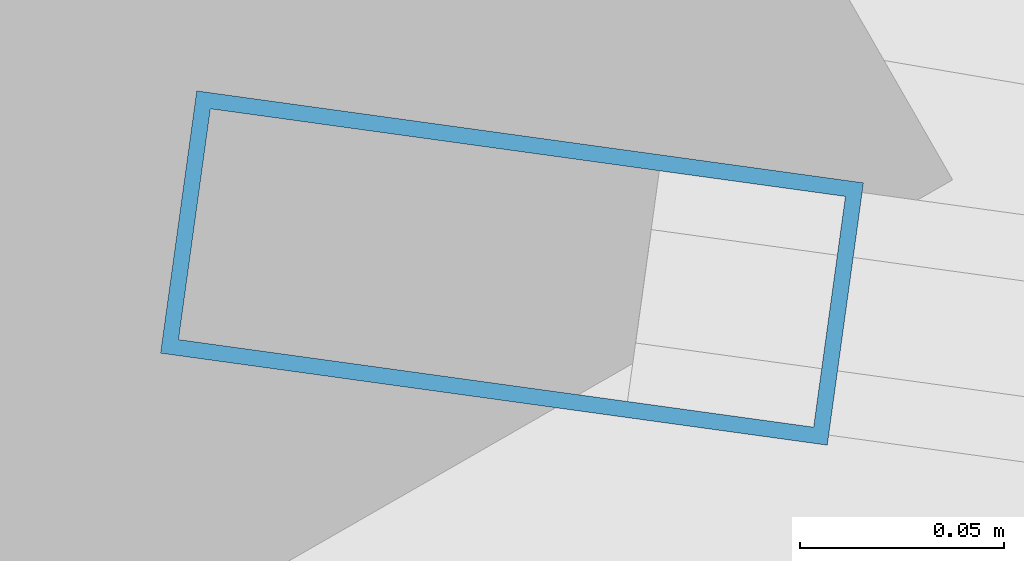
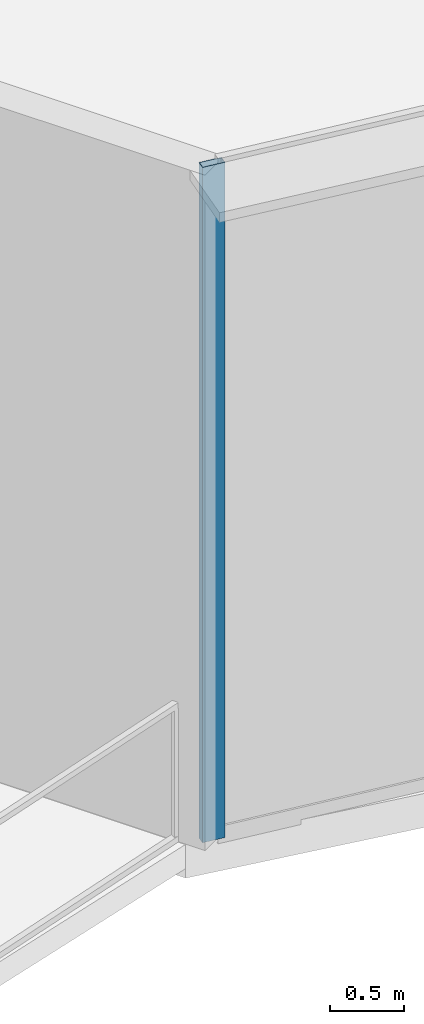
# One storey, part 2 of 36: 1 member, 1 element without a shape of its own.
"""IFC4 building model written with IfcOpenShell, lengths in metres."""

from ifc_helpers import new_model, si_unit, direction, frame, origin, origin_2d, place, context, subcontext, project, spatial, hollow_rectangle, extrude, source, transform, mapped, material, layer, layer_set, material_profile, profile_set, type_object, element, aggregate, save


model = new_model("IFC4")

# Units and contexts
model_context = context("Model", 3, precision=1e-05, world=origin(), true_north=direction((0.0, 1.0)))
body_context = subcontext(model_context, "Body", "Model", "MODEL_VIEW")
ifc_project = project(units=[si_unit("LENGTHUNIT", "METRE"), si_unit("AREAUNIT", "SQUARE_METRE"), si_unit("VOLUMEUNIT", "CUBIC_METRE"), si_unit("PLANEANGLEUNIT", "RADIAN"), si_unit("MASSUNIT", "GRAM", prefix="KILO"), si_unit("THERMODYNAMICTEMPERATUREUNIT", "KELVIN"), si_unit("POWERUNIT", "WATT")], contexts=[model_context])

# Site, building, storey
site_placement = place(None, origin())
site = spatial("IfcSite", under=ifc_project, at=site_placement, CompositionType="ELEMENT")
building_placement = place(site_placement, origin())
building = spatial("IfcBuilding", under=site, at=building_placement, Name="Yunzhuo Pagoda Commons", CompositionType="ELEMENT")
storey_placement = place(building_placement, frame((0.0, 0.0, 119.179931640625)))
storey = spatial("IfcBuildingStorey", under=building, at=storey_placement, Name="L30", CompositionType="ELEMENT", Elevation=119.179931640625)

# Curtain wall, member
ifc_material = material(Name="Anodized aluminium 6063-T6", Category="aluminium")
ifc_layer = layer(ifc_material, 0.1650390625)
ifc_layer_set = layer_set([ifc_layer], Name="Anodized aluminium 6063-T6")
curtain_wall_type = type_object("IfcCurtainWallType", Name="CW-LOW Low-Zone Ribbon Curtain Wall", PredefinedType="NOTDEFINED", material=ifc_layer_set)
curtain_wall_placement = place(storey_placement, origin())
curtain_wall = element("IfcCurtainWall", 1, at=curtain_wall_placement, inside=storey, type_object=curtain_wall_type, Name="L30 curtain wall CW-L30-F1B1", PredefinedType="NOTDEFINED")
ifc_material_profile = material_profile(ifc_material, hollow_rectangle(XDim=0.06494140625, YDim=0.1650390625, WallThickness=0.00390625, at=origin_2d()), Name="Anodized aluminium 6063-T6")
ifc_profile_set = profile_set([ifc_material_profile], Name="Anodized aluminium 6063-T6")
member_type = type_object("IfcMemberType", Name="CW-LOW-M Mullion RHS 165x65x4", PredefinedType="MULLION", material=ifc_profile_set)
shared_shape = source(origin(), body_context, "Body", "SweptSolid", [
    extrude(hollow_rectangle(XDim=0.06494140625, YDim=0.1650390625, WallThickness=0.00390625, at=origin_2d()), origin(), (0.0, 0.0, 1.0), 5.570068359375),
])
member_placement = place(storey_placement, frame((11.843017578125, 15.935302734375, 0.0), z_axis=(0.0, 0.0, 1.0), x_axis=(0.13665715321, 0.990618404067, 0.0)))
member = element("IfcMember", 2, at=member_placement, type_object=member_type, Name="CW mullion 1", PredefinedType="MULLION", context=body_context, shape_type="MappedRepresentation", body=[
    mapped(shared_shape, transform((0.0, 0.0, 0.0), scale=1.0)),
])
aggregate(curtain_wall, [member])

save(model, "model.ifc")
